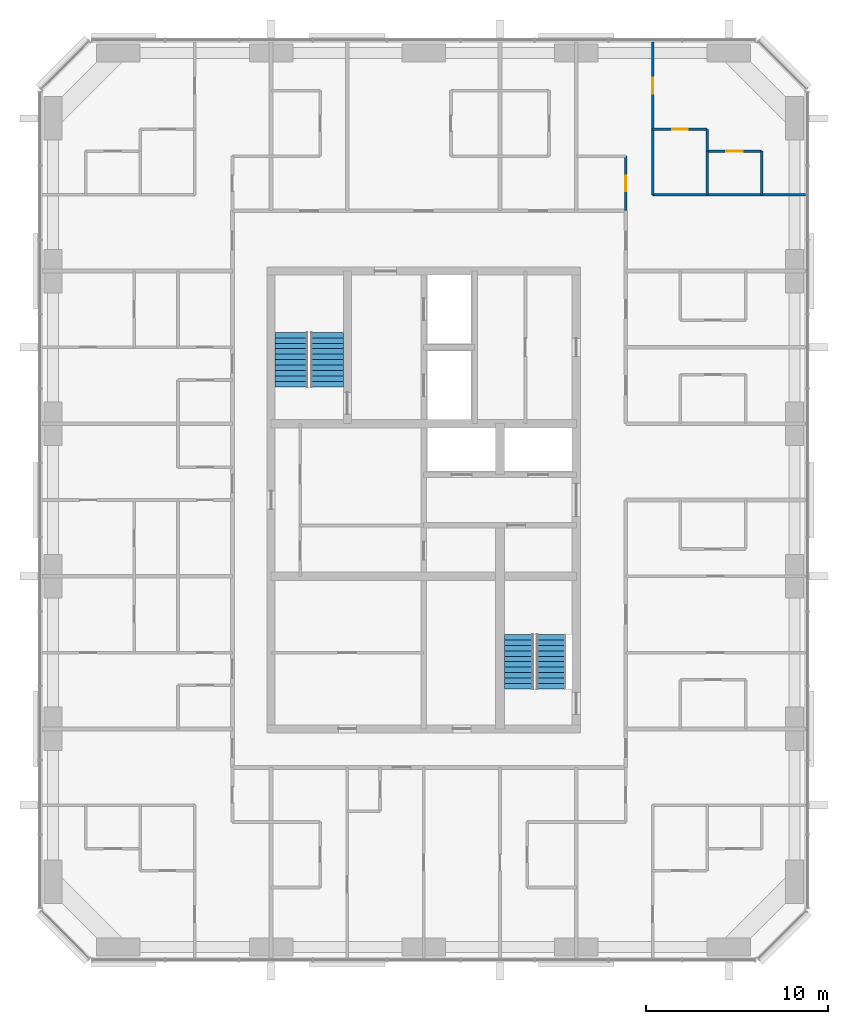
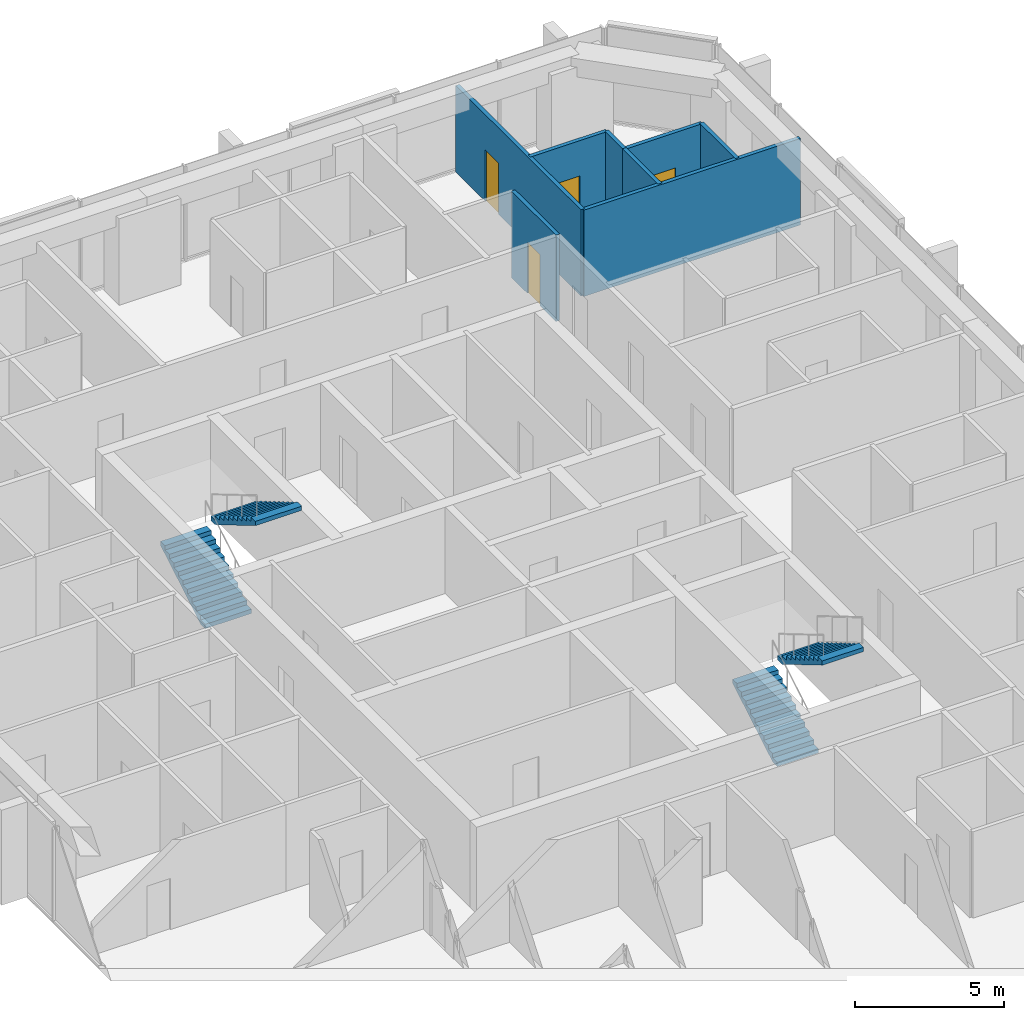
# One storey, part 11 of 12: 8 walls, 4 doors, 4 stair flights, 4 openings, 2 elements without a shape of their own.
"""IFC4 building model written with IfcOpenShell, lengths in metres."""

from ifc_helpers import new_model, si_unit, direction, frame, frame_2d, origin, place, context, subcontext, project, spatial, polyline, rectangle, outline, extrude, material, layer, layer_set, type_object, element, fill, aggregate, save


model = new_model("IFC4")

# Units and contexts
model_context = context("Model", 3, precision=1e-05, world=origin(), true_north=direction((0.0, 1.0)))
body_context = subcontext(model_context, "Body", "Model", "MODEL_VIEW")
ifc_project = project(units=[si_unit("LENGTHUNIT", "METRE"), si_unit("AREAUNIT", "SQUARE_METRE"), si_unit("VOLUMEUNIT", "CUBIC_METRE"), si_unit("PLANEANGLEUNIT", "RADIAN"), si_unit("MASSUNIT", "GRAM", prefix="KILO")], contexts=[model_context])

# Site, building, storey
site_placement = place(None, origin())
site = spatial("IfcSite", under=ifc_project, at=site_placement, CompositionType="ELEMENT")
building_placement = place(site_placement, origin())
building = spatial("IfcBuilding", under=site, at=building_placement, Name="Dunama Terrace Hotel", CompositionType="ELEMENT")
storey_placement = place(building_placement, frame((0.0, 0.0, 256.800048828125)))
storey = spatial("IfcBuildingStorey", under=building, at=storey_placement, Name="L66", CompositionType="ELEMENT", Elevation=256.800048828125)

# Wall, opening, door
ifc_material_1 = material(Name="Gypsum board partition", Category="masonry")
ifc_layer_1 = layer(ifc_material_1, 0.14990234375)
ifc_layer_set_1 = layer_set([ifc_layer_1], Name="Bathroom partition 150")
wall_type_1 = type_object("IfcWallType", Name="Bathroom partition 150", PredefinedType="PARTITIONING", material=ifc_layer_set_1)
wall_1_placement = place(storey_placement, frame((44.72509765625, 45.324951171875, 0.0), z_axis=(0.0, 0.0, 1.0), x_axis=(0.0, 1.0, 0.0)))
wall_1 = element("IfcWall", 1, at=wall_1_placement, inside=storey, type_object=wall_type_1, Name="Bathroom partition 150 L66", PredefinedType="PARTITIONING", context=body_context, shape_type="SweptSolid", body=[
    extrude(rectangle(XDim=3.0, YDim=0.14990234375, at=frame_2d((1.5, 0.0))), origin(), (0.0, 0.0, 1.0), 3.550048828125),
])
opening_1_placement = place(wall_1_placement, frame((1.074951171875, 0.0, 0.0)))
opening_1 = element("IfcOpeningElement", 2, at=opening_1_placement, cuts=wall_1, Name="Opening L65-67-055", PredefinedType="OPENING", context=body_context, shape_type="SweptSolid", body=[
    extrude(rectangle(XDim=0.85009765625, YDim=2.10009765625, at=frame_2d((0.425048828125, 1.050048828125))), frame((0.0, 0.0849609375, 0.0), z_axis=(0.0, -1.0, 0.0), x_axis=(1.0, 0.0, 0.0)), (0.0, 0.0, 1.0), 0.169921875),
])
ifc_material_2 = material(Name="Timber door with steel frame", Category="steel")
door_type_1 = type_object("IfcDoorType", Name="Bathroom door 850", OperationType="SINGLE_SWING_LEFT", PredefinedType="DOOR", material=ifc_material_2)
door_1_placement = place(opening_1_placement, origin())
door_1 = element("IfcDoor", 3, at=door_1_placement, inside=storey, type_object=door_type_1, Name="Door to powder room L65-67-055, type D2", OperationType="SINGLE_SWING_LEFT", OverallHeight=2.10009765625, OverallWidth=0.85009765625, PredefinedType="DOOR", context=body_context, shape_type="SweptSolid", body=[
    extrude(rectangle(XDim=0.85009765625, YDim=2.10009765625, at=frame_2d((0.425048828125, 1.050048828125))), frame((0.0, 0.02490234375, 0.0), z_axis=(0.0, -1.0, 0.0), x_axis=(1.0, 0.0, 0.0)), (0.0, 0.0, 1.0), 0.050048828125),
])
fill(opening_1, door_1)

# Wall
wall_2_placement = place(storey_placement, frame((49.199951171875, 48.60009765625, 0.0), z_axis=(0.0, 0.0, 1.0), x_axis=(0.0, 1.0, 0.0)))
element("IfcWall", 4, at=wall_2_placement, inside=storey, type_object=wall_type_1, Name="Bathroom partition 150 L66", PredefinedType="PARTITIONING", context=body_context, shape_type="SweptSolid", body=[
    extrude(rectangle(XDim=1.199951171875, YDim=0.14990234375, at=frame_2d((0.60009765625, 0.0))), origin(), (0.0, 0.0, 1.0), 3.550048828125),
])

# Wall, opening, door
wall_3_placement = place(storey_placement, frame((46.199951171875, 49.800048828125, 0.0), z_axis=(0.0, 0.0, 1.0), x_axis=(1.0, 0.0, 0.0)))
wall_3 = element("IfcWall", 5, at=wall_3_placement, inside=storey, type_object=wall_type_1, Name="Bathroom partition 150 L66", PredefinedType="PARTITIONING", context=body_context, shape_type="SweptSolid", body=[
    extrude(rectangle(XDim=3.0, YDim=0.14990234375, at=frame_2d((1.5, 0.0))), origin(), (0.0, 0.0, 1.0), 3.550048828125),
])
opening_2_placement = place(wall_3_placement, frame((1.074951171875, 0.0, 0.0)))
opening_2 = element("IfcOpeningElement", 6, at=opening_2_placement, cuts=wall_3, Name="Opening L65-67-057", PredefinedType="OPENING", context=body_context, shape_type="SweptSolid", body=[
    extrude(rectangle(XDim=0.85009765625, YDim=2.10009765625, at=frame_2d((0.425048828125, 1.050048828125))), frame((0.0, 0.0849609375, 0.0), z_axis=(0.0, -1.0, 0.0), x_axis=(1.0, 0.0, 0.0)), (0.0, 0.0, 1.0), 0.169921875),
])
door_2_placement = place(opening_2_placement, frame((0.85009765625, 0.0, 0.0), z_axis=(0.0, 0.0, 1.0), x_axis=(-1.0, 0.0, 0.0)))
door_2 = element("IfcDoor", 7, at=door_2_placement, inside=storey, type_object=door_type_1, Name="Door to en-suite bathroom L65-67-057, type D2", OperationType="SINGLE_SWING_LEFT", OverallHeight=2.10009765625, OverallWidth=0.85009765625, PredefinedType="DOOR", context=body_context, shape_type="SweptSolid", body=[
    extrude(rectangle(XDim=0.85009765625, YDim=2.10009765625, at=frame_2d((0.425048828125, 1.050048828125))), frame((0.0, 0.025146484375, 0.0), z_axis=(0.0, -1.0, 0.0), x_axis=(1.0, 0.0, 0.0)), (0.0, 0.0, 1.0), 0.050048828125),
])
fill(opening_2, door_2)

ifc_material_3 = material(Name="Gypsum board partition", Category="masonry")
ifc_layer_2 = layer(ifc_material_3, 0.14990234375)
ifc_layer_set_2 = layer_set([ifc_layer_2], Name="Room partition 150")
wall_type_2 = type_object("IfcWallType", Name="Room partition 150", PredefinedType="PARTITIONING", material=ifc_layer_set_2)
wall_4_placement = place(storey_placement, frame((46.199951171875, 46.199951171875, 0.0), z_axis=(0.0, 0.0, 1.0), x_axis=(0.0, 1.0, 0.0)))
wall_4 = element("IfcWall", 8, at=wall_4_placement, inside=storey, type_object=wall_type_2, Name="Room partition 150 L66", PredefinedType="PARTITIONING", context=body_context, shape_type="SweptSolid", body=[
    extrude(rectangle(XDim=8.41796875, YDim=0.14990234375, at=frame_2d((4.208984375, 0.0))), origin(), (0.0, 0.0, 1.0), 3.550048828125),
])
opening_3_placement = place(wall_4_placement, frame((5.550048828125, 0.0, 0.0)))
opening_3 = element("IfcOpeningElement", 9, at=opening_3_placement, cuts=wall_4, Name="Opening L65-67-056", PredefinedType="OPENING", context=body_context, shape_type="SweptSolid", body=[
    extrude(rectangle(XDim=0.89990234375, YDim=2.10009765625, at=frame_2d((0.449951171875, 1.050048828125))), frame((0.0, 0.0849609375, 0.0), z_axis=(0.0, -1.0, 0.0), x_axis=(1.0, 0.0, 0.0)), (0.0, 0.0, 1.0), 0.169921875),
])
ifc_material_4 = material(Name="Timber door with steel frame", Category="steel")
door_type_2 = type_object("IfcDoorType", Name="Suite internal door 900", OperationType="SINGLE_SWING_LEFT", PredefinedType="DOOR", material=ifc_material_4)
door_3_placement = place(opening_3_placement, frame((0.89990234375, 0.0, 0.0), z_axis=(0.0, 0.0, 1.0), x_axis=(-1.0, 0.0, 0.0)))
door_3 = element("IfcDoor", 10, at=door_3_placement, inside=storey, type_object=door_type_2, Name="Door to grand corner suite bedroom L65-67-056, type D16", OperationType="SINGLE_SWING_RIGHT", OverallHeight=2.10009765625, OverallWidth=0.89990234375, PredefinedType="DOOR", context=body_context, shape_type="SweptSolid", body=[
    extrude(rectangle(XDim=0.89990234375, YDim=2.10009765625, at=frame_2d((0.449951171875, 1.050048828125))), frame((0.0, 0.025146484375, 0.0), z_axis=(0.0, -1.0, 0.0), x_axis=(1.0, 0.0, 0.0)), (0.0, 0.0, 1.0), 0.050048828125),
])
fill(opening_3, door_3)

# Walls
for number, where, z_axis, x_axis, name in (
    (11, (49.199951171875, 46.199951171875, 0.0), (0.0, 0.0, 1.0), (0.0, 1.0, 0.0), "Room partition 150 L66"),
    (12, (52.199951171875, 46.199951171875, 0.0), (0.0, 0.0, 1.0), (0.0, 1.0, 0.0), "Room partition 150 L66"),
):
    element("IfcWall", number, at=place(storey_placement, frame(where, z_axis=z_axis, x_axis=x_axis)), inside=storey, type_object=wall_type_2, Name=name, PredefinedType="PARTITIONING", context=body_context, shape_type="SweptSolid", body=[
        extrude(rectangle(XDim=2.400146484375, YDim=0.14990234375, at=frame_2d((1.2001953125, 0.0))), origin(), (0.0, 0.0, 1.0), 3.550048828125),
    ])
wall_5_placement = place(storey_placement, frame((46.199951171875, 46.199951171875, 0.0), z_axis=(0.0, 0.0, 1.0), x_axis=(1.0, 0.0, 0.0)))
element("IfcWall", 13, at=wall_5_placement, inside=storey, type_object=wall_type_2, Name="Room partition 150 L66", PredefinedType="PARTITIONING", context=body_context, shape_type="SweptSolid", body=[
    extrude(rectangle(XDim=8.41796875, YDim=0.14990234375, at=frame_2d((4.208984375, 0.0))), origin(), (0.0, 0.0, 1.0), 3.550048828125),
])

# Wall, opening, door
wall_6_placement = place(storey_placement, frame((49.199951171875, 48.60009765625, 0.0), z_axis=(0.0, 0.0, 1.0), x_axis=(1.0, 0.0, 0.0)))
wall_6 = element("IfcWall", 14, at=wall_6_placement, inside=storey, type_object=wall_type_2, Name="Room partition 150 L66", PredefinedType="PARTITIONING", context=body_context, shape_type="SweptSolid", body=[
    extrude(rectangle(XDim=3.0, YDim=0.14990234375, at=frame_2d((1.5, 0.0))), origin(), (0.0, 0.0, 1.0), 3.550048828125),
])
opening_4_placement = place(wall_6_placement, frame((1.050048828125, 0.0, 0.0)))
opening_4 = element("IfcOpeningElement", 15, at=opening_4_placement, cuts=wall_6, Name="Opening L65-67-058", PredefinedType="OPENING", context=body_context, shape_type="SweptSolid", body=[
    extrude(rectangle(XDim=0.89990234375, YDim=2.10009765625, at=frame_2d((0.449951171875, 1.050048828125))), frame((0.0, 0.0849609375, 0.0), z_axis=(0.0, -1.0, 0.0), x_axis=(1.0, 0.0, 0.0)), (0.0, 0.0, 1.0), 0.169921875),
])
door_4_placement = place(opening_4_placement, frame((0.89990234375, 0.0, 0.0), z_axis=(0.0, 0.0, 1.0), x_axis=(-1.0, 0.0, 0.0)))
door_4 = element("IfcDoor", 16, at=door_4_placement, inside=storey, type_object=door_type_2, Name="Door to dressing room L65-67-058, type D16", OperationType="SINGLE_SWING_RIGHT", OverallHeight=2.10009765625, OverallWidth=0.89990234375, PredefinedType="DOOR", context=body_context, shape_type="SweptSolid", body=[
    extrude(rectangle(XDim=0.89990234375, YDim=2.10009765625, at=frame_2d((0.449951171875, 1.050048828125))), frame((0.0, 0.025146484375, 0.0), z_axis=(0.0, -1.0, 0.0), x_axis=(1.0, 0.0, 0.0)), (0.0, 0.0, 1.0), 0.050048828125),
])
fill(opening_4, door_4)

# Stair, stair flights
ifc_material_5 = material(Name="Concrete C40/50", Category="concrete")
stair_type_1 = type_object("IfcStairType", Name="Stair ST1-3900-1800", PredefinedType="HALF_TURN_STAIR", material=ifc_material_5)
stair_1_placement = place(storey_placement, origin())
stair_1 = element("IfcStair", 17, at=stair_1_placement, inside=storey, type_object=stair_type_1, Name="Stair ST1 L66", PredefinedType="HALF_TURN_STAIR")
ifc_material_6 = material(Name="Concrete C40/50", Category="concrete")
stair_flight_type_1 = type_object("IfcStairFlightType", Name="Stair flight ST1-3900-1800", PredefinedType="STRAIGHT", material=ifc_material_6)
stair_flight_1_placement = place(storey_placement, frame((26.324951171875, 35.625, 0.0), z_axis=(0.0, 0.0, 1.0), x_axis=(0.0, 1.0, 0.0)))
stair_flight_1 = element("IfcStairFlight", 18, at=stair_flight_1_placement, type_object=stair_flight_type_1, Name="ST1 flight 1", NumberOfRisers=11, NumberOfTreads=10, PredefinedType="STRAIGHT", RiserHeight=0.177272727, TreadLength=0.3, context=body_context, shape_type="SweptSolid", body=[
    extrude(outline(polyline([(0.0, 0.0), (0.0, 0.17724609375), (0.300048828125, 0.17724609375), (0.300048828125, 0.3544921875), (0.60009765625, 0.3544921875), (0.60009765625, 0.53173828125), (0.89990234375, 0.53173828125), (0.89990234375, 0.708984375), (1.199951171875, 0.708984375), (1.199951171875, 0.886474609375), (1.5, 0.886474609375), (1.5, 1.063720703125), (1.800048828125, 1.063720703125), (1.800048828125, 1.240966796875), (2.10009765625, 1.240966796875), (2.10009765625, 1.418212890625), (2.39990234375, 1.418212890625), (2.39990234375, 1.595458984375), (2.699951171875, 1.595458984375), (2.699951171875, 1.772705078125), (3.0, 1.772705078125), (3.0, 1.949951171875), (3.0, 1.5986328125), (0.294677734375, 0.0), (0.0, 0.0)])), frame((0.0, 0.89990234375, 0.0), z_axis=(0.0, -1.0, 0.0), x_axis=(1.0, 0.0, 0.0)), (0.0, 0.0, 1.0), 1.800048828125),
])
stair_flight_2_placement = place(storey_placement, frame((28.27490234375, 38.625, 1.949951171875), z_axis=(0.0, 0.0, 1.0), x_axis=(0.0, -1.0, 0.0)))
stair_flight_2 = element("IfcStairFlight", 19, at=stair_flight_2_placement, type_object=stair_flight_type_1, Name="ST1 flight 2", NumberOfRisers=11, NumberOfTreads=10, PredefinedType="STRAIGHT", RiserHeight=0.177272727, TreadLength=0.3, context=body_context, shape_type="SweptSolid", body=[
    extrude(outline(polyline([(0.0, 0.0), (0.0, 0.17724609375), (0.300048828125, 0.17724609375), (0.300048828125, 0.3544921875), (0.60009765625, 0.3544921875), (0.60009765625, 0.53173828125), (0.89990234375, 0.53173828125), (0.89990234375, 0.708984375), (1.199951171875, 0.708984375), (1.199951171875, 0.886474609375), (1.5, 0.886474609375), (1.5, 1.063720703125), (1.800048828125, 1.063720703125), (1.800048828125, 1.240966796875), (2.10009765625, 1.240966796875), (2.10009765625, 1.418212890625), (2.39990234375, 1.418212890625), (2.39990234375, 1.595458984375), (2.699951171875, 1.595458984375), (2.699951171875, 1.772705078125), (3.0, 1.772705078125), (3.0, 1.949951171875), (3.0, 1.5986328125), (0.294677734375, 0.0), (0.0, 0.0)])), frame((0.0, 0.89990234375, 0.0), z_axis=(0.0, -1.0, 0.0), x_axis=(1.0, 0.0, 0.0)), (0.0, 0.0, 1.0), 1.800048828125),
])
aggregate(stair_1, [stair_flight_1, stair_flight_2])

ifc_material_7 = material(Name="Concrete C40/50", Category="concrete")
stair_type_2 = type_object("IfcStairType", Name="Stair ST2-3900-1600", PredefinedType="HALF_TURN_STAIR", material=ifc_material_7)
stair_2_placement = place(storey_placement, origin())
stair_2 = element("IfcStair", 20, at=stair_2_placement, inside=storey, type_object=stair_type_2, Name="Stair ST2 L66", PredefinedType="HALF_TURN_STAIR")
ifc_material_8 = material(Name="Concrete C40/50", Category="concrete")
stair_flight_type_2 = type_object("IfcStairFlightType", Name="Stair flight ST2-3900-1600", PredefinedType="STRAIGHT", material=ifc_material_8)
stair_flight_3_placement = place(storey_placement, frame((38.85009765625, 19.0, 0.0), z_axis=(0.0, 0.0, 1.0), x_axis=(0.0, 1.0, 0.0)))
stair_flight_3 = element("IfcStairFlight", 21, at=stair_flight_3_placement, type_object=stair_flight_type_2, Name="ST2 flight 1", NumberOfRisers=11, NumberOfTreads=10, PredefinedType="STRAIGHT", RiserHeight=0.177272727, TreadLength=0.3, context=body_context, shape_type="SweptSolid", body=[
    extrude(outline(polyline([(0.0, 0.0), (0.0, 0.17724609375), (0.300048828125, 0.17724609375), (0.300048828125, 0.3544921875), (0.60009765625, 0.3544921875), (0.60009765625, 0.53173828125), (0.89990234375, 0.53173828125), (0.89990234375, 0.708984375), (1.199951171875, 0.708984375), (1.199951171875, 0.886474609375), (1.5, 0.886474609375), (1.5, 1.063720703125), (1.800048828125, 1.063720703125), (1.800048828125, 1.240966796875), (2.10009765625, 1.240966796875), (2.10009765625, 1.418212890625), (2.39990234375, 1.418212890625), (2.39990234375, 1.595458984375), (2.699951171875, 1.595458984375), (2.699951171875, 1.772705078125), (3.0, 1.772705078125), (3.0, 1.949951171875), (3.0, 1.5986328125), (0.294677734375, 0.0), (0.0, 0.0)])), frame((0.0, 0.800048828125, 0.0), z_axis=(0.0, -1.0, 0.0), x_axis=(1.0, 0.0, 0.0)), (0.0, 0.0, 1.0), 1.60009765625),
])
stair_flight_4_placement = place(storey_placement, frame((40.60009765625, 22.0, 1.949951171875), z_axis=(0.0, 0.0, 1.0), x_axis=(0.0, -1.0, 0.0)))
stair_flight_4 = element("IfcStairFlight", 22, at=stair_flight_4_placement, type_object=stair_flight_type_2, Name="ST2 flight 2", NumberOfRisers=11, NumberOfTreads=10, PredefinedType="STRAIGHT", RiserHeight=0.177272727, TreadLength=0.3, context=body_context, shape_type="SweptSolid", body=[
    extrude(outline(polyline([(0.0, 0.0), (0.0, 0.17724609375), (0.300048828125, 0.17724609375), (0.300048828125, 0.3544921875), (0.60009765625, 0.3544921875), (0.60009765625, 0.53173828125), (0.89990234375, 0.53173828125), (0.89990234375, 0.708984375), (1.199951171875, 0.708984375), (1.199951171875, 0.886474609375), (1.5, 0.886474609375), (1.5, 1.063720703125), (1.800048828125, 1.063720703125), (1.800048828125, 1.240966796875), (2.10009765625, 1.240966796875), (2.10009765625, 1.418212890625), (2.39990234375, 1.418212890625), (2.39990234375, 1.595458984375), (2.699951171875, 1.595458984375), (2.699951171875, 1.772705078125), (3.0, 1.772705078125), (3.0, 1.949951171875), (3.0, 1.5986328125), (0.294677734375, 0.0), (0.0, 0.0)])), frame((0.0, 0.800048828125, 0.0), z_axis=(0.0, -1.0, 0.0), x_axis=(1.0, 0.0, 0.0)), (0.0, 0.0, 1.0), 1.60009765625),
])
aggregate(stair_2, [stair_flight_3, stair_flight_4])

save(model, "model.ifc")
